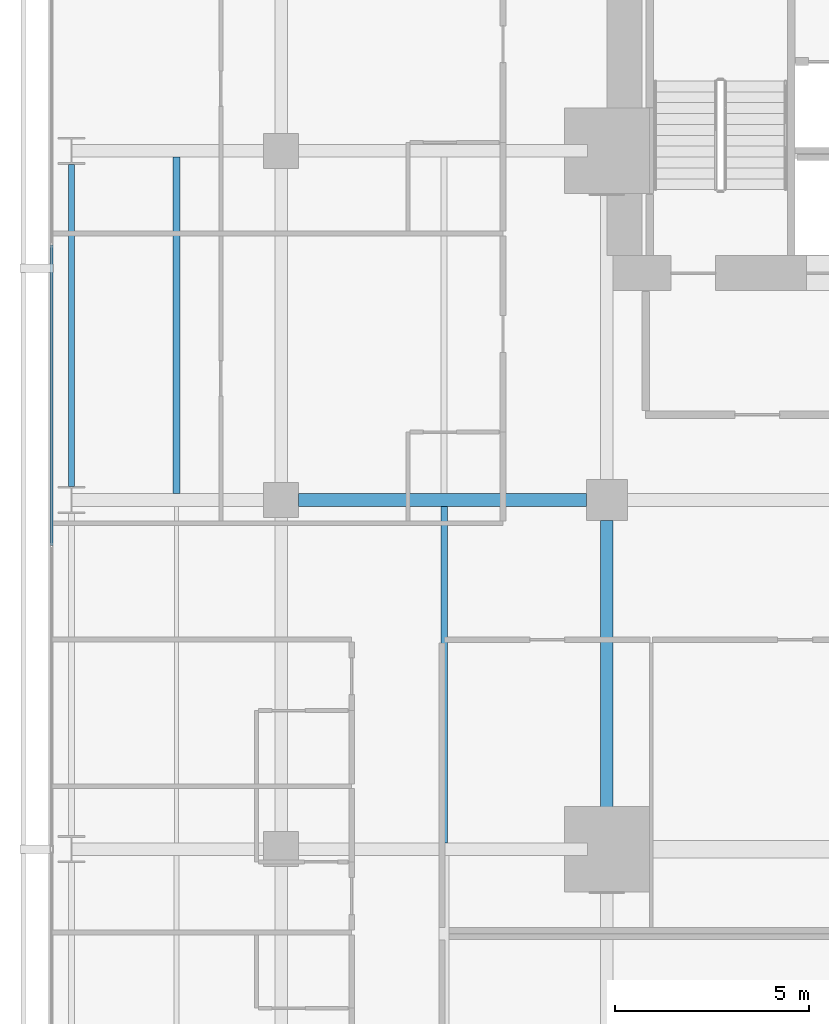
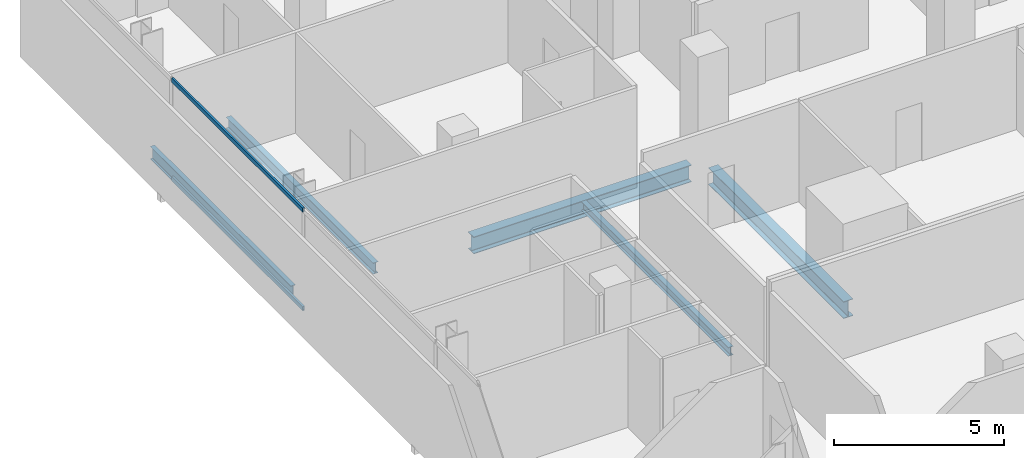
# One storey, part 22 of 40: 5 beams, 2 members, 1 element without a shape of its own.
"""IFC4 building model written with IfcOpenShell, lengths in metres."""

from ifc_helpers import new_model, si_unit, direction, frame, origin, origin_2d, place, context, subcontext, project, spatial, hollow_rectangle, i_section, extrude, material, layer, layer_set, material_profile, profile_set, type_object, element, aggregate, save


model = new_model("IFC4")

# Units and contexts
model_context = context("Model", 3, precision=1e-05, world=origin(), true_north=direction((0.0, 1.0)))
body_context = subcontext(model_context, "Body", "Model", "MODEL_VIEW")
ifc_project = project(units=[si_unit("LENGTHUNIT", "METRE"), si_unit("AREAUNIT", "SQUARE_METRE"), si_unit("VOLUMEUNIT", "CUBIC_METRE"), si_unit("PLANEANGLEUNIT", "RADIAN"), si_unit("MASSUNIT", "GRAM", prefix="KILO")], contexts=[model_context])

# Site, building, storey
site_placement = place(None, origin())
site = spatial("IfcSite", under=ifc_project, at=site_placement, CompositionType="ELEMENT")
building_placement = place(site_placement, origin())
building = spatial("IfcBuilding", under=site, at=building_placement, Name="Maruvema Waterfront Hotel and Observation Tower", CompositionType="ELEMENT")
storey_placement = place(building_placement, frame((0.0, 0.0, 107.800048828125)))
storey = spatial("IfcBuildingStorey", under=building, at=storey_placement, Name="L26", CompositionType="ELEMENT", Elevation=107.800048828125)

# Curtain wall, members
ifc_material_1 = material(Name="Anodised bronze aluminium and solar-control low-E IGU", Category="aluminium")
ifc_layer = layer(ifc_material_1, 0.159912109375, Name="Zone 1 Bronze Inner Thermal Curtain Wall System CW-02")
ifc_layer_set = layer_set([ifc_layer], Name="Anodised bronze aluminium and solar-control low-E IGU")
curtain_wall_type = type_object("IfcCurtainWallType", Name="Zone 1 Bronze Inner Thermal Curtain Wall System CW-02", PredefinedType="USERDEFINED", material=ifc_layer_set)
curtain_wall_placement = place(storey_placement, origin())
curtain_wall = element("IfcCurtainWall", 1, at=curtain_wall_placement, inside=storey, type_object=curtain_wall_type, Name="L26 Curtain Wall CW-L26-W", ObjectType="UNITISED CURTAIN WALL", PredefinedType="USERDEFINED")
ifc_material_2 = material(Name="Anodised architectural bronze aluminium", Category="aluminium")
ifc_material_profile_1 = material_profile(ifc_material_2, hollow_rectangle(XDim=0.070068359375, YDim=0.14990234375, WallThickness=0.00390625, at=origin_2d()), Name="ALU-T70x150")
ifc_profile_set_1 = profile_set([ifc_material_profile_1], Name="Anodised architectural bronze aluminium")
member_type = type_object("IfcMemberType", Name="Curtain Wall Horizontal Transom ALU-T70x150", PredefinedType="USERDEFINED", material=ifc_profile_set_1)
member_1_placement = place(storey_placement, frame((10.8798828125, 42.570068359375, 0.030029296875), z_axis=(0.0, -1.0, 0.0), x_axis=(1.0, 0.0, 0.0)))
member_1 = element("IfcMember", 2, at=member_1_placement, type_object=member_type, Name="CW-02 transom 2.1", ObjectType="TRANSOM", PredefinedType="USERDEFINED", context=body_context, shape_type="SweptSolid", body=[
    extrude(hollow_rectangle(XDim=0.070068359375, YDim=0.14990234375, WallThickness=0.00390625, at=origin_2d()), origin(), (0.0, 0.0, 1.0), 7.739990234375),
])
member_2_placement = place(storey_placement, frame((10.8798828125, 42.570068359375, 3.579833984375), z_axis=(0.0, -1.0, 0.0), x_axis=(1.0, 0.0, 0.0)))
member_2 = element("IfcMember", 3, at=member_2_placement, type_object=member_type, Name="CW-02 transom 2.2", ObjectType="TRANSOM", PredefinedType="USERDEFINED", context=body_context, shape_type="SweptSolid", body=[
    extrude(hollow_rectangle(XDim=0.070068359375, YDim=0.14990234375, WallThickness=0.00390625, at=origin_2d()), origin(), (0.0, 0.0, 1.0), 7.739990234375),
])
aggregate(curtain_wall, [member_1, member_2])

# Beams
ifc_material_3 = material(Name="Steel ASTM A572 Grade 50", Category="steel")
ifc_material_profile_2 = material_profile(ifc_material_3, i_section(OverallWidth=0.153076171875, OverallDepth=0.455078125, WebThickness=0.008056640625, FlangeThickness=0.01318359375, FilletRadius=0.014892578125, at=origin_2d()), Name="W460x60.0")
ifc_profile_set_2 = profile_set([ifc_material_profile_2], Name="Steel ASTM A572 Grade 50")
beam_type_1 = type_object("IfcBeamType", Name="Perimeter Spandrel Beam W460x60.0", PredefinedType="SPANDREL", material=ifc_profile_set_2)
beam_1_placement = place(storey_placement, frame((11.39990234375, 36.35009765625, -0.467529296875), z_axis=(0.0, 1.0, 0.0), x_axis=(-1.0, 0.0, 0.0)))
element("IfcBeam", 4, at=beam_1_placement, inside=storey, type_object=beam_type_1, Name="L26 Floor Girder NS-04", PredefinedType="SPANDREL", context=body_context, shape_type="SweptSolid", body=[
    extrude(i_section(OverallWidth=0.153076171875, OverallDepth=0.455078125, WebThickness=0.008056640625, FlangeThickness=0.01318359375, FilletRadius=0.014892578125, at=origin_2d()), origin(), (0.0, 0.0, 1.0), 8.2998046875),
])
ifc_material_4 = material(Name="Steel ASTM A572 Grade 50", Category="steel")
ifc_material_profile_3 = material_profile(ifc_material_4, i_section(OverallWidth=0.323974609375, OverallDepth=0.611083984375, WebThickness=0.0126953125, FlangeThickness=0.01904296875, FilletRadius=0.01806640625, at=origin_2d()), Name="W610x155.0")
ifc_profile_set_3 = profile_set([ifc_material_profile_3], Name="Steel ASTM A572 Grade 50")
beam_type_2 = type_object("IfcBeamType", Name="Primary Floor Girder W610x155.0", PredefinedType="BEAM", material=ifc_profile_set_3)
beam_2_placement = place(storey_placement, frame((17.25, 36.0, -0.545654296875), z_axis=(1.0, 0.0, 0.0), x_axis=(0.0, 1.0, 0.0)))
element("IfcBeam", 5, at=beam_2_placement, inside=storey, type_object=beam_type_2, Name="L26 Floor Girder EW-26", PredefinedType="BEAM", context=body_context, shape_type="SweptSolid", body=[
    extrude(i_section(OverallWidth=0.323974609375, OverallDepth=0.611083984375, WebThickness=0.0126953125, FlangeThickness=0.01904296875, FilletRadius=0.01806640625, at=origin_2d()), origin(), (0.0, 0.0, 1.0), 7.425048828125),
])
beam_3_placement = place(storey_placement, frame((25.199951171875, 27.5, -0.545654296875), z_axis=(0.0, 1.0, 0.0), x_axis=(-1.0, 0.0, 0.0)))
element("IfcBeam", 6, at=beam_3_placement, inside=storey, type_object=beam_type_2, Name="L26 Floor Girder NS-14", PredefinedType="BEAM", context=body_context, shape_type="SweptSolid", body=[
    extrude(i_section(OverallWidth=0.323974609375, OverallDepth=0.611083984375, WebThickness=0.0126953125, FlangeThickness=0.01904296875, FilletRadius=0.01806640625, at=origin_2d()), origin(), (0.0, 0.0, 1.0), 7.97509765625),
])
ifc_material_5 = material(Name="Steel ASTM A572 Grade 50", Category="steel")
ifc_material_profile_4 = material_profile(ifc_material_5, i_section(OverallWidth=0.1669921875, OverallDepth=0.31689453125, WebThickness=0.007568359375, FlangeThickness=0.01318359375, FilletRadius=0.012939453125, at=origin_2d()), Name="W310x52.0")
ifc_profile_set_4 = profile_set([ifc_material_profile_4], Name="Steel ASTM A572 Grade 50")
beam_type_3 = type_object("IfcBeamType", Name="Secondary Floor Joist W310x52.0", PredefinedType="JOIST", material=ifc_profile_set_4)
beam_4_placement = place(storey_placement, frame((21.0, 27.162109375, -0.3984375), z_axis=(0.0, 1.0, 0.0), x_axis=(-1.0, 0.0, 0.0)))
element("IfcBeam", 7, at=beam_4_placement, inside=storey, type_object=beam_type_3, Name="L26 Secondary Floor Joist JS-08", PredefinedType="JOIST", context=body_context, shape_type="SweptSolid", body=[
    extrude(i_section(OverallWidth=0.1669921875, OverallDepth=0.31689453125, WebThickness=0.007568359375, FlangeThickness=0.01318359375, FilletRadius=0.012939453125, at=origin_2d()), origin(), (0.0, 0.0, 1.0), 8.67578125),
])
ifc_material_6 = material(Name="Steel ASTM A572 Grade 50", Category="steel")
ifc_material_profile_5 = material_profile(ifc_material_6, i_section(OverallWidth=0.177001953125, OverallDepth=0.403076171875, WebThickness=0.007568359375, FlangeThickness=0.010986328125, FilletRadius=0.014892578125, at=origin_2d()), Name="W410x53.0")
ifc_profile_set_5 = profile_set([ifc_material_profile_5], Name="Steel ASTM A572 Grade 50")
beam_type_4 = type_object("IfcBeamType", Name="Secondary Floor Joist W410x53.0", PredefinedType="JOIST", material=ifc_profile_set_5)
beam_5_placement = place(storey_placement, frame((14.10009765625, 36.162109375, -0.441650390625), z_axis=(0.0, 1.0, 0.0), x_axis=(-1.0, 0.0, 0.0)))
element("IfcBeam", 8, at=beam_5_placement, inside=storey, type_object=beam_type_4, Name="L26 Secondary Floor Joist JS-04", PredefinedType="JOIST", context=body_context, shape_type="SweptSolid", body=[
    extrude(i_section(OverallWidth=0.177001953125, OverallDepth=0.403076171875, WebThickness=0.007568359375, FlangeThickness=0.010986328125, FilletRadius=0.014892578125, at=origin_2d()), origin(), (0.0, 0.0, 1.0), 8.67578125),
])

save(model, "model.ifc")
